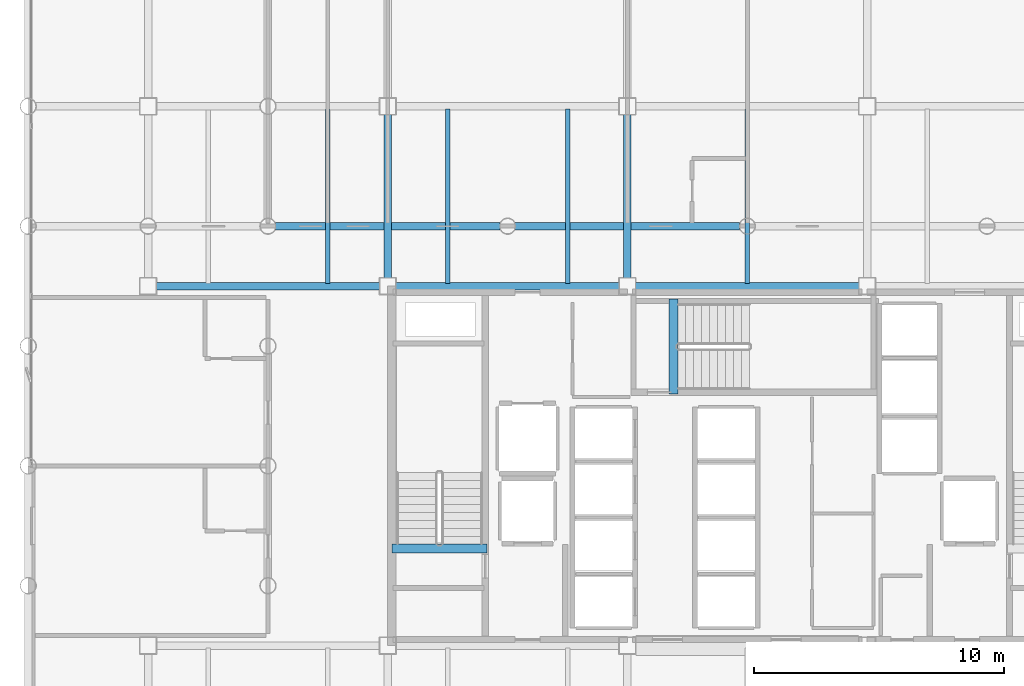
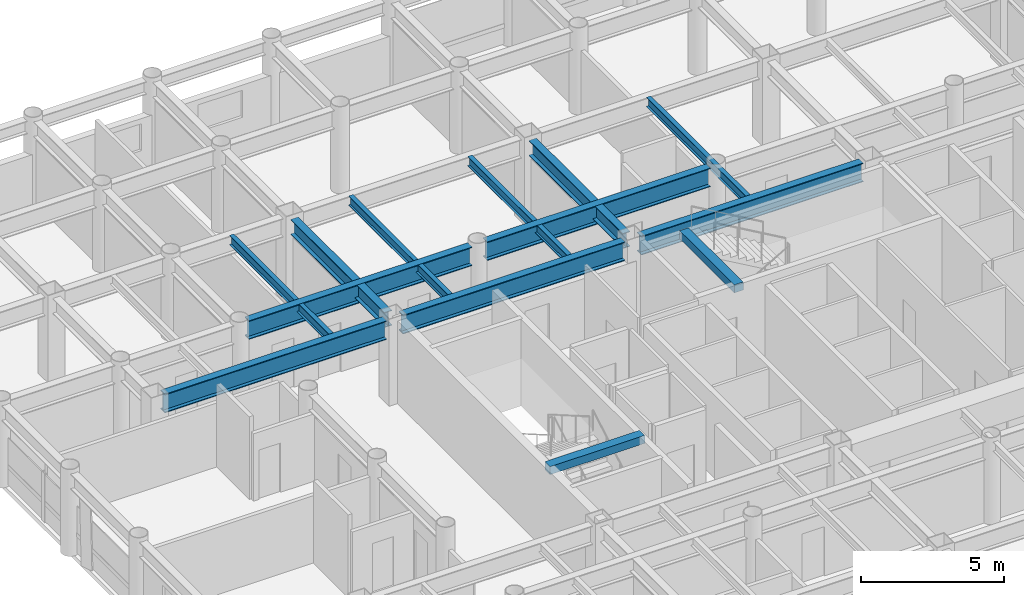
# One storey, part 5 of 22: 13 beams.
"""IFC4 building model written with IfcOpenShell, lengths in metres."""

import ifcopenshell
import ifcopenshell.guid

model = None  # the IFC model being written
_history = None  # IfcOwnerHistory: only IFC2X3 demands one
_inside = {}  # id of a spatial element -> (the spatial element, [elements in it])
_under = {}  # id of a project, library or spatial element -> (it, [spatial elements below it])
_declared = {}  # id of a project -> (the project, [libraries it declares])
_typed = {}  # id of a type object -> (the type object, [elements of that type])
_made_of = {}  # id of a material, layer set ... -> (it, [elements and type objects made of it])


def new_model(schema):
    """Start an empty IFC model of exactly this schema.

    Asked for "IFC4X3", IfcOpenShell would pick the latest addendum, in which some entities
    have other attributes; the version numbers below select the first issue.
    IFC2X3 requires an IfcOwnerHistory on every rooted entity: one is made here for all.
    """
    global model, _history
    if schema == "IFC4X3":
        model = ifcopenshell.file(schema_version=(4, 3, 0, 0))
    else:
        model = ifcopenshell.file(schema=schema)
    _inside.clear()
    _under.clear()
    _declared.clear()
    _typed.clear()
    _made_of.clear()
    _history = None
    if model.schema == "IFC2X3":
        org = make("IfcOrganization", Name="unknown")
        user = make(
            "IfcPersonAndOrganization",
            ThePerson=make("IfcPerson", FamilyName="unknown"),
            TheOrganization=org,
        )
        app = make(
            "IfcApplication",
            ApplicationDeveloper=org,
            Version="unknown",
            ApplicationFullName="unknown",
            ApplicationIdentifier="unknown",
        )
        _history = make(
            "IfcOwnerHistory",
            OwningUser=user,
            OwningApplication=app,
            ChangeAction="ADDED",
            CreationDate=0,
        )
    return model


def make(cls, **values):
    """One entity of the class cls with the attributes given. An attribute that is None is left unset."""
    return model.create_entity(
        cls, **{name: value for name, value in values.items() if value is not None}
    )


def rooted(cls, **values):
    """An entity with a GlobalId (a new one), such as an element, a storey or a relation."""
    return make(cls, GlobalId=ifcopenshell.guid.new(), OwnerHistory=_history, **values)


def si_unit(unit_type, name, prefix=None):
    """IfcSIUnit, for example si_unit("LENGTHUNIT", "METRE", prefix="MILLI")."""
    return make("IfcSIUnit", UnitType=unit_type, Prefix=prefix, Name=name)


def assignment(units):
    """IfcUnitAssignment: the units of a project."""
    return None if units is None else make("IfcUnitAssignment", Units=units)


def point(xyz):
    """IfcCartesianPoint."""
    return None if xyz is None else make("IfcCartesianPoint", Coordinates=xyz)


def direction(xyz):
    """IfcDirection."""
    return None if xyz is None else make("IfcDirection", DirectionRatios=xyz)


def frame(location, z_axis=None, x_axis=None):
    """IfcAxis2Placement3D, a coordinate frame: its origin and axes. An axis left out is left unset."""
    return make(
        "IfcAxis2Placement3D",
        Location=point(location),
        Axis=direction(z_axis),
        RefDirection=direction(x_axis),
    )


def frame_2d(location, x_axis=None):
    """IfcAxis2Placement2D, a coordinate frame in the plane: its origin and x axis."""
    return make(
        "IfcAxis2Placement2D", Location=point(location), RefDirection=direction(x_axis)
    )


def origin():
    """The frame at (0, 0, 0) with its axes left unset."""
    return frame((0.0, 0.0, 0.0))


def origin_2d():
    """The frame at (0, 0) in the plane with its x axis left unset."""
    return frame_2d((0.0, 0.0))


def place(relative_to, where):
    """IfcLocalPlacement: puts the frame where relative to a parent placement (None: the world)."""
    return make(
        "IfcLocalPlacement", PlacementRelTo=relative_to, RelativePlacement=where
    )


def context(
    kind, dimensions, precision=None, world=None, true_north=None, identifier=None
):
    """IfcGeometricRepresentationContext, for example the 3D "Model" context."""
    return make(
        "IfcGeometricRepresentationContext",
        ContextIdentifier=identifier,
        ContextType=kind,
        CoordinateSpaceDimension=dimensions,
        Precision=precision,
        WorldCoordinateSystem=world,
        TrueNorth=true_north,
    )


def subcontext(parent, identifier, kind, view, scale=None):
    """IfcGeometricRepresentationSubContext, for example "Body" below "Model"."""
    return make(
        "IfcGeometricRepresentationSubContext",
        ContextIdentifier=identifier,
        ContextType=kind,
        ParentContext=parent,
        TargetScale=scale,
        TargetView=view,
    )


def project(units=None, contexts=None):
    """IfcProject with its units and contexts."""
    return rooted(
        "IfcProject",
        Name="project",
        RepresentationContexts=contexts,
        UnitsInContext=assignment(units),
    )


def spatial(cls, under=None, at=None, **own):
    """A site, building, storey or space (cls), placed at a placement, below another one or the project."""
    s = rooted(cls, ObjectPlacement=at, **own)
    if under is not None:
        _under.setdefault(under.id(), (under, []))[1].append(s)
    return s


def profile(cls, at=None, kind="AREA", **sizes):
    """A parametric profile (cls). Its sizes go by their IFC names, for example OverallWidth=200.0."""
    return make(cls, ProfileType=kind, Position=at, **sizes)


def rectangle(**sizes):
    """IfcRectangleProfileDef."""
    return profile("IfcRectangleProfileDef", **sizes)


def i_section(**sizes):
    """IfcIShapeProfileDef."""
    return profile("IfcIShapeProfileDef", **sizes)


def extrude(swept, where, along, depth):
    """IfcExtrudedAreaSolid: the profile swept, set in the frame where, extruded along a direction by depth."""
    return make(
        "IfcExtrudedAreaSolid",
        SweptArea=swept,
        Position=where,
        ExtrudedDirection=direction(along),
        Depth=depth,
    )


def shape(context_of_items, identifier, shape_type, items):
    """IfcShapeRepresentation: the items that make up one representation, for example the "Body"."""
    return make(
        "IfcShapeRepresentation",
        ContextOfItems=context_of_items,
        RepresentationIdentifier=identifier,
        RepresentationType=shape_type,
        Items=items,
    )


def material(Name=None, Category=None):
    """IfcMaterial."""
    return make("IfcMaterial", Name=Name, Category=Category)


def material_profile(
    of_material, cross_section, Name=None, Category=None, Priority=None
):
    """IfcMaterialProfile: a cross section and its material."""
    return make(
        "IfcMaterialProfile",
        Name=Name,
        Material=of_material,
        Profile=cross_section,
        Priority=Priority,
        Category=Category,
    )


def profile_set(profiles, Name=None, composite=None):
    """IfcMaterialProfileSet."""
    return make(
        "IfcMaterialProfileSet",
        Name=Name,
        MaterialProfiles=profiles,
        CompositeProfile=composite,
    )


def made_of(thing, what):
    """Note that an element or type object is made of a material, layer set ...; save() writes the relation."""
    if what is not None:
        _made_of.setdefault(what.id(), (what, []))[1].append(thing)
    return thing


def type_object(cls, material=None, **own):
    """A type object (cls), such as IfcWallType, which elements share."""
    return made_of(rooted(cls, **own), material)


def element(
    cls,
    number,
    at=None,
    inside=None,
    cuts=None,
    type_object=None,
    material=None,
    context=None,
    identifier="Body",
    shape_type=None,
    held_by="IfcProductDefinitionShape",
    body=None,
    shapes=None,
    **own,
):
    """One element of the class cls, such as IfcWall. Its Tag is "e" and its number.

    at: its placement. inside: the storey or other place that contains it. cuts: it is an
    opening in that element (IfcRelVoidsElement). A single representation is given by context,
    identifier, shape_type and body (its items); several are given by shapes. held_by: the class
    of the entity that holds the representations. save() writes the other relations.
    """
    e = rooted(cls, Tag="e%d" % number, ObjectPlacement=at, **own)
    if body is not None:
        shapes = [shape(context, identifier, shape_type, body)]
    if shapes is not None:
        e.Representation = make(held_by, Representations=shapes)
    if inside is not None:
        _inside.setdefault(inside.id(), (inside, []))[1].append(e)
    if cuts is not None:
        rooted(
            "IfcRelVoidsElement", RelatingBuildingElement=cuts, RelatedOpeningElement=e
        )
    if type_object is not None:
        _typed.setdefault(type_object.id(), (type_object, []))[1].append(e)
    return made_of(e, material)


def aggregate(whole, parts):
    """IfcRelAggregates: a whole, such as a stair, and the parts it consists of."""
    return rooted("IfcRelAggregates", RelatingObject=whole, RelatedObjects=parts)


def save(model, path):
    """Write the relations noted so far, then the file.

    IfcRelAggregates (storeys below a building ...), IfcRelContainedInSpatialStructure (elements
    in a storey), IfcRelDefinesByType, IfcRelAssociatesMaterial and IfcRelDeclares: one each for
    every whole, place, type object, material and project.
    """
    for whole, parts in _under.values():
        aggregate(whole, parts)
    for where, things in _inside.values():
        rooted(
            "IfcRelContainedInSpatialStructure",
            RelatedElements=things,
            RelatingStructure=where,
        )
    for kind, things in _typed.values():
        rooted("IfcRelDefinesByType", RelatedObjects=things, RelatingType=kind)
    for what, things in _made_of.values():
        rooted("IfcRelAssociatesMaterial", RelatedObjects=things, RelatingMaterial=what)
    for by, libraries in _declared.values():
        rooted("IfcRelDeclares", RelatingContext=by, RelatedDefinitions=libraries)
    model.write(path)


model = new_model("IFC4")

# Units and contexts
model_context = context("Model", 3, precision=1e-05, world=origin(), true_north=direction((0.0, 1.0)))
body_context = subcontext(model_context, "Body", "Model", "MODEL_VIEW")
ifc_project = project(units=[si_unit("LENGTHUNIT", "METRE"), si_unit("AREAUNIT", "SQUARE_METRE"), si_unit("VOLUMEUNIT", "CUBIC_METRE"), si_unit("PLANEANGLEUNIT", "RADIAN"), si_unit("MASSUNIT", "GRAM", prefix="KILO")], contexts=[model_context])

# Site, building, storey
site_placement = place(None, origin())
site = spatial("IfcSite", under=ifc_project, at=site_placement, CompositionType="ELEMENT")
building_placement = place(site_placement, origin())
building = spatial("IfcBuilding", under=site, at=building_placement, Name="Kallvorn Hotel Tower", CompositionType="ELEMENT")
storey_placement = place(building_placement, frame((0.0, 0.0, 102.60009765625)))
storey = spatial("IfcBuildingStorey", under=building, at=storey_placement, Name="L24", CompositionType="ELEMENT", Elevation=102.60009765625)

# Beams
ifc_material_1 = material(Name="Structural steel S355JR", Category="steel")
ifc_material_profile_1 = material_profile(ifc_material_1, i_section(OverallWidth=0.300048828125, OverallDepth=0.64990234375, WebThickness=0.01611328125, FlangeThickness=0.031005859375, at=origin_2d()), Name="HE 650 B")
ifc_profile_set_1 = profile_set([ifc_material_profile_1], Name="Structural steel S355JR")
beam_type_1 = type_object("IfcBeamType", Name="BM_HE650B", PredefinedType="BEAM", material=ifc_profile_set_1)
for number, where, z_axis, x_axis, name in (
    (1, (-14.39990234375, 7.52490234375, 3.19482421875), (0.0, 1.0, 0.0), (-1.0, 0.0, 0.0), "L25 Primary Y-Girder 99"),
    (2, (-4.800048828125, 7.52490234375, 3.19482421875), (0.0, 1.0, 0.0), (-1.0, 0.0, 0.0), "L25 Primary Y-Girder 107"),
):
    element("IfcBeam", number, at=place(storey_placement, frame(where, z_axis=z_axis, x_axis=x_axis)), inside=storey, type_object=beam_type_1, Name=name, PredefinedType="BEAM", context=body_context, shape_type="SweptSolid", body=[
        extrude(i_section(OverallWidth=0.300048828125, OverallDepth=0.64990234375, WebThickness=0.01611328125, FlangeThickness=0.031005859375, at=origin_2d()), origin(), (0.0, 0.0, 1.0), 6.550048828125),
    ])
ifc_material_2 = material(Name="Structural steel S355JR", Category="steel")
ifc_material_profile_2 = material_profile(ifc_material_2, i_section(OverallWidth=0.300048828125, OverallDepth=0.800048828125, WebThickness=0.017578125, FlangeThickness=0.032958984375, at=origin_2d()), Name="HE 800 B")
ifc_profile_set_2 = profile_set([ifc_material_profile_2], Name="Structural steel S355JR")
beam_type_2 = type_object("IfcBeamType", Name="BM_HE800B", PredefinedType="BEAM", material=ifc_profile_set_2)
for number, where, z_axis, x_axis, name in (
    (3, (-23.675048828125, 7.199951171875, 3.119873046875), (1.0, 0.0, 0.0), (0.0, 1.0, 0.0), "L25 Primary X-Girder 36"),
    (4, (-14.074951171875, 7.199951171875, 3.119873046875), (1.0, 0.0, 0.0), (0.0, 1.0, 0.0), "L25 Primary X-Girder 37"),
):
    element("IfcBeam", number, at=place(storey_placement, frame(where, z_axis=z_axis, x_axis=x_axis)), inside=storey, type_object=beam_type_2, Name=name, PredefinedType="BEAM", context=body_context, shape_type="SweptSolid", body=[
        extrude(i_section(OverallWidth=0.300048828125, OverallDepth=0.800048828125, WebThickness=0.017578125, FlangeThickness=0.032958984375, at=origin_2d()), origin(), (0.0, 0.0, 1.0), 8.949951171875),
    ])
beam_1_placement = place(storey_placement, frame((-4.47509765625, 7.199951171875, 3.119873046875), z_axis=(1.0, 0.0, 0.0), x_axis=(0.0, 1.0, 0.0)))
element("IfcBeam", 5, at=beam_1_placement, inside=storey, type_object=beam_type_2, Name="L25 Primary X-Girder 38", PredefinedType="BEAM", context=body_context, shape_type="SweptSolid", body=[
    extrude(i_section(OverallWidth=0.300048828125, OverallDepth=0.800048828125, WebThickness=0.017578125, FlangeThickness=0.032958984375, at=origin_2d()), origin(), (0.0, 0.0, 1.0), 8.9501953125),
])
for number, where, z_axis, x_axis, name in (
    (6, (-18.89501953125, 9.60009765625, 3.119873046875), (1.0, 0.0, 0.0), (0.0, 1.0, 0.0), "L25 Primary X-Girder 43"),
    (7, (-9.294921875, 9.60009765625, 3.119873046875), (1.0, 0.0, 0.0), (0.0, 1.0, 0.0), "L25 Primary X-Girder 44"),
):
    element("IfcBeam", number, at=place(storey_placement, frame(where, z_axis=z_axis, x_axis=x_axis)), inside=storey, type_object=beam_type_2, Name=name, PredefinedType="BEAM", context=body_context, shape_type="SweptSolid", body=[
        extrude(i_section(OverallWidth=0.300048828125, OverallDepth=0.800048828125, WebThickness=0.017578125, FlangeThickness=0.032958984375, at=origin_2d()), origin(), (0.0, 0.0, 1.0), 8.989990234375),
    ])
ifc_material_3 = material(Name="Structural steel S355JR", Category="steel")
ifc_material_profile_3 = material_profile(ifc_material_3, i_section(OverallWidth=0.179931640625, OverallDepth=0.39990234375, WebThickness=0.008544921875, FlangeThickness=0.013427734375, at=origin_2d()), Name="IPE 400")
ifc_profile_set_3 = profile_set([ifc_material_profile_3], Name="Structural steel S355JR")
beam_type_3 = type_object("IfcBeamType", Name="BM_IPE400", PredefinedType="JOIST", material=ifc_profile_set_3)
for number, where, z_axis, x_axis, name in (
    (8, (-16.800048828125, 7.300048828125, 3.31982421875), (0.0, 1.0, 0.0), (-1.0, 0.0, 0.0), "L25 Secondary Composite Joist 195"),
    (9, (-12.0, 7.300048828125, 3.31982421875), (0.0, 1.0, 0.0), (-1.0, 0.0, 0.0), "L25 Secondary Composite Joist 197"),
    (10, (-7.199951171875, 7.300048828125, 3.31982421875), (0.0, 1.0, 0.0), (-1.0, 0.0, 0.0), "L25 Secondary Composite Joist 199"),
    (11, (0.0, 7.300048828125, 3.31982421875), (0.0, 1.0, 0.0), (-1.0, 0.0, 0.0), "L25 Secondary Composite Joist 201"),
):
    element("IfcBeam", number, at=place(storey_placement, frame(where, z_axis=z_axis, x_axis=x_axis)), inside=storey, type_object=beam_type_3, Name=name, PredefinedType="JOIST", context=body_context, shape_type="SweptSolid", body=[
        extrude(i_section(OverallWidth=0.179931640625, OverallDepth=0.39990234375, WebThickness=0.008544921875, FlangeThickness=0.013427734375, at=origin_2d()), origin(), (0.0, 0.0, 1.0), 7.0),
    ])
ifc_material_4 = material(Name="Concrete C50/60", Category="concrete")
ifc_material_profile_4 = material_profile(ifc_material_4, rectangle(XDim=0.360107421875, YDim=0.340087890625, at=origin_2d()), Name="RC 360x340")
ifc_profile_set_4 = profile_set([ifc_material_profile_4], Name="Concrete C50/60")
beam_type_4 = type_object("IfcBeamType", Name="BM_RC_400x360", PredefinedType="BEAM", material=ifc_profile_set_4)
beam_2_placement = place(storey_placement, frame((-10.419921875, -3.31005859375, 3.349853515625), z_axis=(-1.0, 0.0, 0.0), x_axis=(0.0, -1.0, 0.0)))
element("IfcBeam", 12, at=beam_2_placement, inside=storey, type_object=beam_type_4, Name="L25 Stair ST1 Arrival Trimmer Beam", PredefinedType="BEAM", context=body_context, shape_type="SweptSolid", body=[
    extrude(rectangle(XDim=0.360107421875, YDim=0.340087890625, at=origin_2d()), origin(), (0.0, 0.0, 1.0), 3.820068359375),
])
beam_3_placement = place(storey_placement, frame((-2.9599609375, 2.8701171875, 3.349853515625), z_axis=(0.0, 1.0, 0.0), x_axis=(-1.0, 0.0, 0.0)))
element("IfcBeam", 13, at=beam_3_placement, inside=storey, type_object=beam_type_4, Name="L25 Stair ST3 Arrival Trimmer Beam", PredefinedType="BEAM", context=body_context, shape_type="SweptSolid", body=[
    extrude(rectangle(XDim=0.360107421875, YDim=0.340087890625, at=origin_2d()), origin(), (0.0, 0.0, 1.0), 3.81982421875),
])

save(model, "model.ifc")
